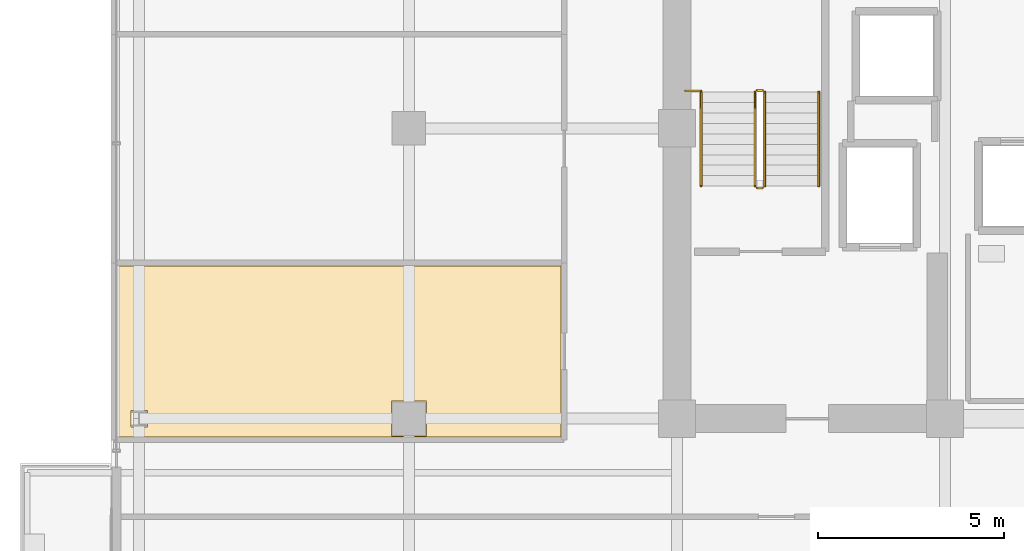
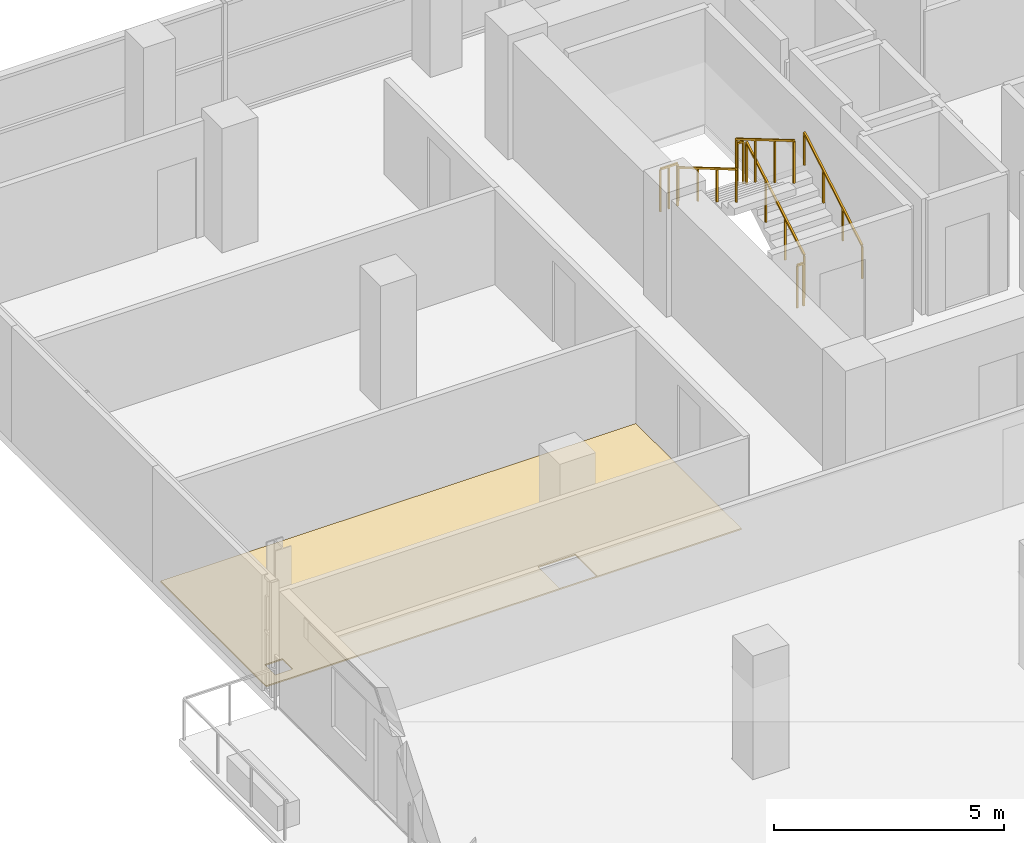
# One storey, part 25 of 28: 7 railings, 1 covering.
"""IFC4 building model written with IfcOpenShell, lengths in metres."""

from ifc_helpers import new_model, si_unit, direction, frame, origin, origin_2d, place, context, subcontext, project, spatial, polyline, rectangle, outline, extrude, material, layer, layer_set, type_object, element, save


model = new_model("IFC4")

# Units and contexts
model_context = context("Model", 3, precision=1e-05, world=origin(), true_north=direction((0.0, 1.0)))
body_context = subcontext(model_context, "Body", "Model", "MODEL_VIEW")
ifc_project = project(units=[si_unit("LENGTHUNIT", "METRE"), si_unit("AREAUNIT", "SQUARE_METRE"), si_unit("VOLUMEUNIT", "CUBIC_METRE"), si_unit("PLANEANGLEUNIT", "RADIAN"), si_unit("MASSUNIT", "GRAM", prefix="KILO")], contexts=[model_context])

# Site, building, storey
site_placement = place(None, origin())
site = spatial("IfcSite", under=ifc_project, at=site_placement, CompositionType="ELEMENT")
building_placement = place(site_placement, origin())
building = spatial("IfcBuilding", under=site, at=building_placement, Name="Zarnakvel Exchange Tower", CompositionType="ELEMENT")
storey_placement = place(building_placement, frame((0.0, 0.0, 109.89990234375)))
storey = spatial("IfcBuildingStorey", under=building, at=storey_placement, Name="L30", CompositionType="ELEMENT", Elevation=109.89990234375)

# Covering
ifc_material_1 = material(Name="Heavy-Duty Raised Access Floor Panel", Category="steel")
ifc_layer = layer(ifc_material_1, 0.034912109375)
ifc_layer_set = layer_set([ifc_layer], Name="Heavy-Duty Raised Access Floor Panel")
covering_type = type_object("IfcCoveringType", Name="FLR-02", PredefinedType="FLOORING", material=ifc_layer_set)
covering_placement = place(storey_placement, origin())
element("IfcCovering", 1, at=covering_placement, inside=storey, type_object=covering_type, Name="L30 Floor Finish (Executive Suite)", PredefinedType="FLOORING", context=body_context, shape_type="SweptSolid", body=[
    extrude(outline(polyline([(-29.449951171875, 2.906982421875), (-17.510009765625, 2.906982421875), (-17.510009765625, -1.68994140625), (-29.449951171875, -1.68994140625), (-29.449951171875, 2.906982421875)]), holes=[polyline([(-21.1298828125, -1.669921875), (-21.1298828125, -0.72998046875), (-22.070068359375, -0.72998046875), (-22.070068359375, -1.669921875), (-21.1298828125, -1.669921875)]), polyline([(-28.6279296875, -1.423583984375), (-28.6279296875, -0.9765625), (-29.072021484375, -0.9765625), (-29.072021484375, -1.423583984375), (-28.6279296875, -1.423583984375)])]), origin(), (0.0, 0.0, 1.0), 0.03515625),
])

# Railings
ifc_material_2 = material(Name="Brushed Stainless Steel", Category="steel")
railing_type_1 = type_object("IfcRailingType", Name="HR-01", PredefinedType="HANDRAIL", material=ifc_material_2)
railing_1_placement = place(storey_placement, frame((-10.590087890625, 5.050048828125, 0.1650390625)))
element("IfcRailing", 2, at=railing_1_placement, inside=storey, type_object=railing_type_1, Name="L30 ST-01 stair handrail 1", PredefinedType="HANDRAIL", context=body_context, shape_type="SweptSolid", body=[
    extrude(rectangle(XDim=0.048095703125, YDim=0.048095703125, at=origin_2d()), frame((0.0, 0.0, 0.8759765625), z_axis=(0.0, 0.86152411907, 0.507716645641), x_axis=(-1.0, 0.0, 0.0)), (0.0, 0.0, 1.0), 2.925048828125),
    extrude(rectangle(XDim=0.0419921875, YDim=0.0419921875, at=origin_2d()), origin(), (0.0, 0.0, 1.0), 0.851806640625),
    extrude(rectangle(XDim=0.0419921875, YDim=0.0419921875, at=origin_2d()), frame((0.0, 0.840087890625, 0.4951171875)), (0.0, 0.0, 1.0), 0.851806640625),
    extrude(rectangle(XDim=0.0419921875, YDim=0.0419921875, at=origin_2d()), frame((0.0, 1.679931640625, 0.989990234375)), (0.0, 0.0, 1.0), 0.851806640625),
    extrude(rectangle(XDim=0.0419921875, YDim=0.0419921875, at=origin_2d()), frame((0.0, 2.52001953125, 1.485107421875)), (0.0, 0.0, 1.0), 0.851806640625),
])
railing_2_placement = place(storey_placement, frame((-13.75, 7.570068359375, 1.815185546875)))
element("IfcRailing", 3, at=railing_2_placement, inside=storey, type_object=railing_type_1, Name="L30 ST-01 stair handrail 2", PredefinedType="HANDRAIL", context=body_context, shape_type="SweptSolid", body=[
    extrude(rectangle(XDim=0.048095703125, YDim=0.048095703125, at=origin_2d()), frame((0.0, 0.0, 0.8759765625), z_axis=(0.0, -0.861560626758, 0.507654692109), x_axis=(1.0, 0.0, 0.0)), (0.0, 0.0, 1.0), 2.925048828125),
    extrude(rectangle(XDim=0.0419921875, YDim=0.0419921875, at=origin_2d()), origin(), (0.0, 0.0, 1.0), 0.851806640625),
    extrude(rectangle(XDim=0.0419921875, YDim=0.0419921875, at=origin_2d()), frame((0.0, -0.840087890625, 0.494873046875)), (0.0, 0.0, 1.0), 0.851806640625),
    extrude(rectangle(XDim=0.0419921875, YDim=0.0419921875, at=origin_2d()), frame((0.0, -1.679931640625, 0.989990234375)), (0.0, 0.0, 1.0), 0.851806640625),
    extrude(rectangle(XDim=0.0419921875, YDim=0.0419921875, at=origin_2d()), frame((0.0, -2.52001953125, 1.48486328125)), (0.0, 0.0, 1.0), 0.851806640625),
])
ifc_material_3 = material(Name="Architectural Bronze Anodised Aluminium", Category="aluminium")
railing_type_2 = type_object("IfcRailingType", Name="SG-01", PredefinedType="GUARDRAIL", material=ifc_material_3)
railing_3_placement = place(storey_placement, frame((-12.0400390625, 5.050048828125, 0.1650390625)))
element("IfcRailing", 4, at=railing_3_placement, inside=storey, type_object=railing_type_2, Name="L30 ST-01 stair guard 1", PredefinedType="GUARDRAIL", context=body_context, shape_type="SweptSolid", body=[
    extrude(rectangle(XDim=0.048095703125, YDim=0.048095703125, at=origin_2d()), frame((0.0, 0.0, 1.1259765625), z_axis=(0.0, 0.86152411907, 0.507716645641), x_axis=(-1.0, 0.0, 0.0)), (0.0, 0.0, 1.0), 2.925048828125),
    extrude(rectangle(XDim=0.0419921875, YDim=0.0419921875, at=origin_2d()), origin(), (0.0, 0.0, 1.0), 1.101806640625),
    extrude(rectangle(XDim=0.0419921875, YDim=0.0419921875, at=origin_2d()), frame((0.0, 0.840087890625, 0.4951171875)), (0.0, 0.0, 1.0), 1.101806640625),
    extrude(rectangle(XDim=0.0419921875, YDim=0.0419921875, at=origin_2d()), frame((0.0, 1.679931640625, 0.989990234375)), (0.0, 0.0, 1.0), 1.101806640625),
    extrude(rectangle(XDim=0.0419921875, YDim=0.0419921875, at=origin_2d()), frame((0.0, 2.52001953125, 1.485107421875)), (0.0, 0.0, 1.0), 1.101806640625),
])
railing_4_placement = place(storey_placement, frame((-12.090087890625, 7.6201171875, 1.650146484375)))
element("IfcRailing", 5, at=railing_4_placement, inside=storey, type_object=railing_type_2, Name="L30 ST-01 stair guard 2", PredefinedType="GUARDRAIL", context=body_context, shape_type="SweptSolid", body=[
    extrude(rectangle(XDim=0.048095703125, YDim=0.048095703125, at=origin_2d()), frame((0.0, 0.0, 1.1259765625), z_axis=(-1.0, 0.0, 0.0), x_axis=(0.0, -1.0, 0.0)), (0.0, 0.0, 1.0), 0.159912109375),
    extrude(rectangle(XDim=0.0419921875, YDim=0.0419921875, at=origin_2d()), origin(), (0.0, 0.0, 1.0), 1.101806640625),
    extrude(rectangle(XDim=0.0419921875, YDim=0.0419921875, at=origin_2d()), frame((-0.159912109375, 0.0, 0.0)), (0.0, 0.0, 1.0), 1.101806640625),
])
railing_5_placement = place(storey_placement, frame((-12.300048828125, 7.570068359375, 1.815185546875)))
element("IfcRailing", 6, at=railing_5_placement, inside=storey, type_object=railing_type_2, Name="L30 ST-01 stair guard 3", PredefinedType="GUARDRAIL", context=body_context, shape_type="SweptSolid", body=[
    extrude(rectangle(XDim=0.048095703125, YDim=0.048095703125, at=origin_2d()), frame((0.0, 0.0, 1.1259765625), z_axis=(0.0, -0.861560626758, 0.507654692109), x_axis=(1.0, 0.0, 0.0)), (0.0, 0.0, 1.0), 2.925048828125),
    extrude(rectangle(XDim=0.0419921875, YDim=0.0419921875, at=origin_2d()), origin(), (0.0, 0.0, 1.0), 1.101806640625),
    extrude(rectangle(XDim=0.0419921875, YDim=0.0419921875, at=origin_2d()), frame((0.0, -0.840087890625, 0.494873046875)), (0.0, 0.0, 1.0), 1.101806640625),
    extrude(rectangle(XDim=0.0419921875, YDim=0.0419921875, at=origin_2d()), frame((0.0, -1.679931640625, 0.989990234375)), (0.0, 0.0, 1.0), 1.101806640625),
    extrude(rectangle(XDim=0.0419921875, YDim=0.0419921875, at=origin_2d()), frame((0.0, -2.52001953125, 1.48486328125)), (0.0, 0.0, 1.0), 1.101806640625),
])
railing_6_placement = place(storey_placement, frame((-12.090087890625, 5.0, 0.0)))
element("IfcRailing", 7, at=railing_6_placement, inside=storey, type_object=railing_type_2, Name="L30 ST-01 stair guard 4", PredefinedType="GUARDRAIL", context=body_context, shape_type="SweptSolid", body=[
    extrude(rectangle(XDim=0.048095703125, YDim=0.048095703125, at=origin_2d()), frame((0.0, 0.0, 1.1259765625), z_axis=(-1.0, 0.0, 0.0), x_axis=(0.0, -1.0, 0.0)), (0.0, 0.0, 1.0), 0.159912109375),
    extrude(rectangle(XDim=0.0419921875, YDim=0.0419921875, at=origin_2d()), origin(), (0.0, 0.0, 1.0), 1.101806640625),
    extrude(rectangle(XDim=0.0419921875, YDim=0.0419921875, at=origin_2d()), frame((-0.159912109375, 0.0, 0.0)), (0.0, 0.0, 1.0), 1.101806640625),
])
railing_7_placement = place(storey_placement, frame((-14.179931640625, 7.610107421875, 1.650146484375)))
element("IfcRailing", 8, at=railing_7_placement, inside=storey, type_object=railing_type_2, Name="L30 ST-01 Landing Slot Guardrail", PredefinedType="GUARDRAIL", context=body_context, shape_type="SweptSolid", body=[
    extrude(rectangle(XDim=0.048095703125, YDim=0.048095703125, at=origin_2d()), frame((0.0, 0.0, 1.1259765625), z_axis=(1.0, 0.0, 0.0), x_axis=(0.0, 1.0, 0.0)), (0.0, 0.0, 1.0), 0.429931640625),
    extrude(rectangle(XDim=0.0419921875, YDim=0.0419921875, at=origin_2d()), origin(), (0.0, 0.0, 1.0), 1.101806640625),
    extrude(rectangle(XDim=0.0419921875, YDim=0.0419921875, at=origin_2d()), frame((0.21484375, 0.0, 0.0)), (0.0, 0.0, 1.0), 1.101806640625),
    extrude(rectangle(XDim=0.0419921875, YDim=0.0419921875, at=origin_2d()), frame((0.429931640625, 0.0, 0.0)), (0.0, 0.0, 1.0), 1.101806640625),
])

save(model, "model.ifc")
